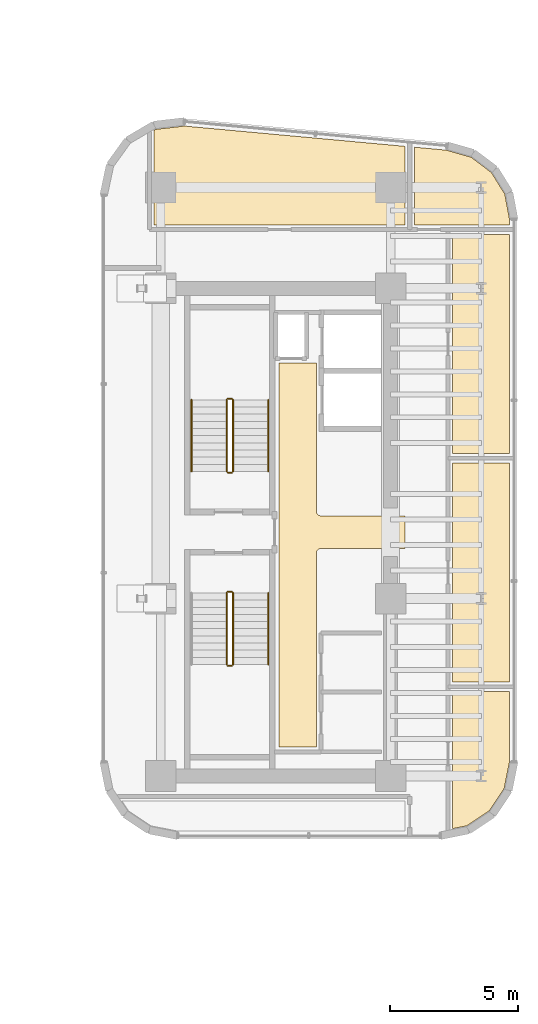
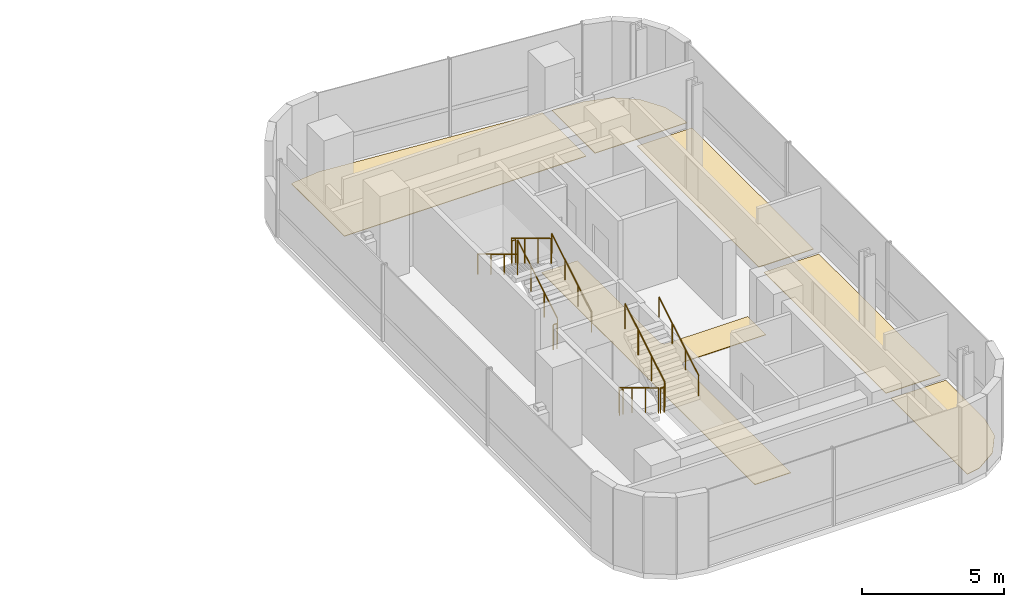
# One storey, part 34 of 35: 11 railings, 6 coverings.
"""IFC4 building model written with IfcOpenShell, lengths in metres."""

from ifc_helpers import new_model, si_unit, direction, frame, origin, origin_2d, place, context, subcontext, project, spatial, polyline, circle, outline, extrude, material, layer, layer_set, type_object, element, save


model = new_model("IFC4")

# Units and contexts
model_context = context("Model", 3, precision=1e-05, world=origin(), true_north=direction((0.0, 1.0)))
body_context = subcontext(model_context, "Body", "Model", "MODEL_VIEW")
ifc_project = project(units=[si_unit("LENGTHUNIT", "METRE"), si_unit("AREAUNIT", "SQUARE_METRE"), si_unit("VOLUMEUNIT", "CUBIC_METRE"), si_unit("PLANEANGLEUNIT", "RADIAN"), si_unit("MASSUNIT", "GRAM", prefix="KILO")], contexts=[model_context])

# Site, building, storey
site_placement = place(None, origin())
site = spatial("IfcSite", under=ifc_project, at=site_placement, CompositionType="ELEMENT")
building_placement = place(site_placement, origin())
building = spatial("IfcBuilding", under=site, at=building_placement, Name="Valdorenza Pilgrim Sanctuary Tower", CompositionType="ELEMENT")
storey_placement = place(building_placement, frame((0.0, 0.0, 168.60009765625)))
storey = spatial("IfcBuildingStorey", under=building, at=storey_placement, Name="L43", CompositionType="ELEMENT", Elevation=168.60009765625)

# Coverings
ifc_material_1 = material(Name="Honed travertine stone flooring", Category="masonry")
ifc_layer = layer(ifc_material_1, 0.030029296875, Name="Honed travertine stone flooring")
ifc_layer_set = layer_set([ifc_layer], Name="Honed travertine stone flooring")
covering_type = type_object("IfcCoveringType", Name="COV-FLR-TRV", PredefinedType="FLOORING", material=ifc_layer_set)
covering_1_placement = place(storey_placement, origin())
element("IfcCovering", 1, at=covering_1_placement, inside=storey, type_object=covering_type, Name="L43 Core B Passenger Lift Lobby Flooring", PredefinedType="FLOORING", context=body_context, shape_type="SweptSolid", body=[
    extrude(outline(polyline([(20.47998046875, 6.617919921875), (21.550048828125, 6.617919921875), (21.550537109375, 6.617919921875), (21.93994140625, 6.619384765625), (21.93994140625, 0.820068359375), (21.94091796875, 0.802490234375), (21.943603515625, 0.784912109375), (21.94775390625, 0.767578125), (21.95361328125, 0.751220703125), (21.961181640625, 0.735107421875), (21.97021484375, 0.719970703125), (21.98095703125, 0.705810546875), (21.99267578125, 0.692626953125), (22.005859375, 0.680908203125), (22.02001953125, 0.67041015625), (22.03515625, 0.661376953125), (22.051025390625, 0.65380859375), (22.067626953125, 0.647705078125), (22.0849609375, 0.6435546875), (22.102294921875, 0.640869140625), (22.1201171875, 0.639892578125), (25.419921875, 0.639892578125), (25.419921875, -0.639892578125), (22.1201171875, -0.639892578125), (22.102294921875, -0.640869140625), (22.0849609375, -0.6435546875), (22.067626953125, -0.647705078125), (22.051025390625, -0.65380859375), (22.03515625, -0.661376953125), (22.02001953125, -0.67041015625), (22.005859375, -0.680908203125), (21.99267578125, -0.692626953125), (21.98095703125, -0.705810546875), (21.97021484375, -0.719970703125), (21.961181640625, -0.735107421875), (21.95361328125, -0.751220703125), (21.94775390625, -0.767578125), (21.943603515625, -0.784912109375), (21.94091796875, -0.802490234375), (21.93994140625, -0.820068359375), (21.93994140625, -8.419921875), (20.47998046875, -8.419921875), (20.47998046875, -0.846923828125), (20.47998046875, -0.8466796875), (20.47998046875, -0.8466796875), (20.481689453125, -0.8291015625), (20.481689453125, -0.828857421875), (20.48193359375, -0.820068359375), (20.48193359375, 0.820068359375), (20.47998046875, 6.617919921875)])), origin(), (0.0, 0.0, 1.0), 0.02490234375),
])
covering_2_placement = place(storey_placement, origin())
element("IfcCovering", 2, at=covering_2_placement, inside=storey, type_object=covering_type, Name="L43 Curator Research Office L43-BN1 Flooring", PredefinedType="FLOORING", context=body_context, shape_type="SweptSolid", body=[
    extrude(outline(polyline([(15.580078125, 12.030029296875), (15.580078125, 15.7392578125), (15.6396484375, 15.7744140625), (16.7783203125, 15.906982421875), (25.419921875, 15.11181640625), (25.419921875, 12.030029296875), (15.580078125, 12.030029296875)])), origin(), (0.0, 0.0, 1.0), 0.02490234375),
])
covering_3_placement = place(storey_placement, origin())
element("IfcCovering", 3, at=covering_3_placement, inside=storey, type_object=covering_type, Name="L43 East Wing Reference Library L43-BNE Flooring", PredefinedType="FLOORING", context=body_context, shape_type="SweptSolid", body=[
    extrude(outline(polyline([(27.021484375, 14.964599609375), (28.00439453125, 14.685302734375), (28.79833984375, 14.08642578125), (29.322021484375, 13.240966796875), (29.510009765625, 12.236572265625), (29.510009765625, 12.030029296875), (25.781982421875, 12.030029296875), (25.781982421875, 15.07861328125), (27.021484375, 14.964599609375)])), origin(), (0.0, 0.0, 1.0), 0.02490234375),
])
covering_4_placement = place(storey_placement, origin())
element("IfcCovering", 4, at=covering_4_placement, inside=storey, type_object=covering_type, Name="L43 Open Plan Scholar Office L43-EB1 Flooring", PredefinedType="FLOORING", context=body_context, shape_type="SweptSolid", body=[
    extrude(outline(polyline([(29.510009765625, -6.22998046875), (29.510009765625, -8.971435546875), (29.29833984375, -10.034912109375), (28.712158203125, -10.912109375), (27.8349609375, -11.498291015625), (27.280029296875, -11.60888671875), (27.280029296875, -6.22998046875), (29.510009765625, -6.22998046875)])), origin(), (0.0, 0.0, 1.0), 0.02490234375),
])
covering_5_placement = place(storey_placement, origin())
element("IfcCovering", 5, at=covering_5_placement, inside=storey, type_object=covering_type, Name="L43 Open Plan Scholar Office L43-EB2 Flooring", PredefinedType="FLOORING", context=body_context, shape_type="SweptSolid", body=[
    extrude(outline(polyline([(27.280029296875, 2.719970703125), (29.510009765625, 2.719970703125), (29.510009765625, -5.867919921875), (27.280029296875, -5.867919921875), (27.280029296875, 2.719970703125)])), origin(), (0.0, 0.0, 1.0), 0.02490234375),
])
covering_6_placement = place(storey_placement, origin())
element("IfcCovering", 6, at=covering_6_placement, inside=storey, type_object=covering_type, Name="L43 Open Plan Scholar Office L43-EB3 Flooring", PredefinedType="FLOORING", context=body_context, shape_type="SweptSolid", body=[
    extrude(outline(polyline([(27.280029296875, 11.66796875), (29.510009765625, 11.66796875), (29.510009765625, 3.08203125), (27.280029296875, 3.08203125), (27.280029296875, 11.66796875)])), origin(), (0.0, 0.0, 1.0), 0.02490234375),
])

# Railings
ifc_material_2 = material(Name="Stainless steel Grade 316", Category="steel")
railing_type_1 = type_object("IfcRailingType", Name="RLG-GRD-1120", PredefinedType="GUARDRAIL", material=ifc_material_2)
railing_1_placement = place(storey_placement, frame((18.679931640625, 2.3798828125, 0.16796875)))
element("IfcRailing", 7, at=railing_1_placement, inside=storey, type_object=railing_type_1, Name="L43 ST-B1 stair guard 1", PredefinedType="GUARDRAIL", context=body_context, shape_type="SweptSolid", body=[
    extrude(circle(Radius=0.02392578125, at=origin_2d()), frame((0.0, 0.0, 1.076171875), z_axis=(0.0, 0.857242210791, 0.514913383045), x_axis=(-1.0, 0.0, 0.0)), (0.0, 0.0, 1.0), 3.266357421875),
    extrude(circle(Radius=0.02099609375, at=origin_2d()), origin(), (0.0, 0.0, 1.0), 1.052001953125),
    extrude(circle(Radius=0.02099609375, at=origin_2d()), frame((0.0, 0.933349609375, 0.560546875)), (0.0, 0.0, 1.0), 1.052001953125),
    extrude(circle(Radius=0.02099609375, at=origin_2d()), frame((0.0, 1.86669921875, 1.121337890625)), (0.0, 0.0, 1.0), 1.052001953125),
    extrude(circle(Radius=0.02099609375, at=origin_2d()), frame((0.0, 2.800048828125, 1.681884765625)), (0.0, 0.0, 1.0), 1.052001953125),
])
railing_2_placement = place(storey_placement, frame((18.6298828125, 5.22998046875, 1.849853515625)))
element("IfcRailing", 8, at=railing_2_placement, inside=storey, type_object=railing_type_1, Name="L43 ST-B1 stair guard 2", PredefinedType="GUARDRAIL", context=body_context, shape_type="SweptSolid", body=[
    extrude(circle(Radius=0.02392578125, at=origin_2d()), frame((0.0, 0.0, 1.076171875), z_axis=(-1.0, 0.0, 0.0), x_axis=(0.0, -1.0, 0.0)), (0.0, 0.0, 1.0), 0.14990234375),
    extrude(circle(Radius=0.02099609375, at=origin_2d()), origin(), (0.0, 0.0, 1.0), 1.052001953125),
    extrude(circle(Radius=0.02099609375, at=origin_2d()), frame((-0.14990234375, 0.0, 0.0)), (0.0, 0.0, 1.0), 1.052001953125),
])
railing_3_placement = place(storey_placement, frame((18.429931640625, 5.179931640625, 2.01806640625)))
element("IfcRailing", 9, at=railing_3_placement, inside=storey, type_object=railing_type_1, Name="L43 ST-B1 stair guard 3", PredefinedType="GUARDRAIL", context=body_context, shape_type="SweptSolid", body=[
    extrude(circle(Radius=0.02392578125, at=origin_2d()), frame((0.0, 0.0, 1.076171875), z_axis=(0.0, -0.857242210791, 0.514913383045), x_axis=(1.0, 0.0, 0.0)), (0.0, 0.0, 1.0), 3.266357421875),
    extrude(circle(Radius=0.02099609375, at=origin_2d()), origin(), (0.0, 0.0, 1.0), 1.052001953125),
    extrude(circle(Radius=0.02099609375, at=origin_2d()), frame((0.0, -0.933349609375, 0.560546875)), (0.0, 0.0, 1.0), 1.052001953125),
    extrude(circle(Radius=0.02099609375, at=origin_2d()), frame((0.0, -1.86669921875, 1.121337890625)), (0.0, 0.0, 1.0), 1.052001953125),
    extrude(circle(Radius=0.02099609375, at=origin_2d()), frame((0.0, -2.800048828125, 1.681884765625)), (0.0, 0.0, 1.0), 1.052001953125),
])
railing_4_placement = place(storey_placement, frame((18.6298828125, 2.330078125, 0.0)))
element("IfcRailing", 10, at=railing_4_placement, inside=storey, type_object=railing_type_1, Name="L43 ST-B1 stair guard 4", PredefinedType="GUARDRAIL", context=body_context, shape_type="SweptSolid", body=[
    extrude(circle(Radius=0.02392578125, at=origin_2d()), frame((0.0, 0.0, 1.076171875), z_axis=(-1.0, 0.0, 0.0), x_axis=(0.0, -1.0, 0.0)), (0.0, 0.0, 1.0), 0.14990234375),
    extrude(circle(Radius=0.02099609375, at=origin_2d()), origin(), (0.0, 0.0, 1.0), 1.052001953125),
    extrude(circle(Radius=0.02099609375, at=origin_2d()), frame((-0.14990234375, 0.0, 0.0)), (0.0, 0.0, 1.0), 1.052001953125),
])
railing_5_placement = place(storey_placement, frame((18.429931640625, -2.3798828125, 0.16796875)))
element("IfcRailing", 11, at=railing_5_placement, inside=storey, type_object=railing_type_1, Name="L43 ST-B2 stair guard 1", PredefinedType="GUARDRAIL", context=body_context, shape_type="SweptSolid", body=[
    extrude(circle(Radius=0.02392578125, at=origin_2d()), frame((0.0, 0.0, 1.076171875), z_axis=(0.0, -0.857242210791, 0.514913383045), x_axis=(1.0, 0.0, 0.0)), (0.0, 0.0, 1.0), 3.266357421875),
    extrude(circle(Radius=0.02099609375, at=origin_2d()), origin(), (0.0, 0.0, 1.0), 1.052001953125),
    extrude(circle(Radius=0.02099609375, at=origin_2d()), frame((0.0, -0.933349609375, 0.560546875)), (0.0, 0.0, 1.0), 1.052001953125),
    extrude(circle(Radius=0.02099609375, at=origin_2d()), frame((0.0, -1.86669921875, 1.121337890625)), (0.0, 0.0, 1.0), 1.052001953125),
    extrude(circle(Radius=0.02099609375, at=origin_2d()), frame((0.0, -2.800048828125, 1.681884765625)), (0.0, 0.0, 1.0), 1.052001953125),
])
railing_6_placement = place(storey_placement, frame((18.47998046875, -5.22998046875, 1.849853515625)))
element("IfcRailing", 12, at=railing_6_placement, inside=storey, type_object=railing_type_1, Name="L43 ST-B2 stair guard 2", PredefinedType="GUARDRAIL", context=body_context, shape_type="SweptSolid", body=[
    extrude(circle(Radius=0.02392578125, at=origin_2d()), frame((0.0, 0.0, 1.076171875), z_axis=(1.0, 0.0, 0.0), x_axis=(0.0, 1.0, 0.0)), (0.0, 0.0, 1.0), 0.14990234375),
    extrude(circle(Radius=0.02099609375, at=origin_2d()), origin(), (0.0, 0.0, 1.0), 1.052001953125),
    extrude(circle(Radius=0.02099609375, at=origin_2d()), frame((0.14990234375, 0.0, 0.0)), (0.0, 0.0, 1.0), 1.052001953125),
])
railing_7_placement = place(storey_placement, frame((18.679931640625, -5.179931640625, 2.01806640625)))
element("IfcRailing", 13, at=railing_7_placement, inside=storey, type_object=railing_type_1, Name="L43 ST-B2 stair guard 3", PredefinedType="GUARDRAIL", context=body_context, shape_type="SweptSolid", body=[
    extrude(circle(Radius=0.02392578125, at=origin_2d()), frame((0.0, 0.0, 1.076171875), z_axis=(0.0, 0.857242210791, 0.514913383045), x_axis=(-1.0, 0.0, 0.0)), (0.0, 0.0, 1.0), 3.266357421875),
    extrude(circle(Radius=0.02099609375, at=origin_2d()), origin(), (0.0, 0.0, 1.0), 1.052001953125),
    extrude(circle(Radius=0.02099609375, at=origin_2d()), frame((0.0, 0.933349609375, 0.560546875)), (0.0, 0.0, 1.0), 1.052001953125),
    extrude(circle(Radius=0.02099609375, at=origin_2d()), frame((0.0, 1.86669921875, 1.121337890625)), (0.0, 0.0, 1.0), 1.052001953125),
    extrude(circle(Radius=0.02099609375, at=origin_2d()), frame((0.0, 2.800048828125, 1.681884765625)), (0.0, 0.0, 1.0), 1.052001953125),
])
railing_8_placement = place(storey_placement, frame((18.47998046875, -2.330078125, 0.0)))
element("IfcRailing", 14, at=railing_8_placement, inside=storey, type_object=railing_type_1, Name="L43 ST-B2 stair guard 4", PredefinedType="GUARDRAIL", context=body_context, shape_type="SweptSolid", body=[
    extrude(circle(Radius=0.02392578125, at=origin_2d()), frame((0.0, 0.0, 1.076171875), z_axis=(1.0, 0.0, 0.0), x_axis=(0.0, 1.0, 0.0)), (0.0, 0.0, 1.0), 0.14990234375),
    extrude(circle(Radius=0.02099609375, at=origin_2d()), origin(), (0.0, 0.0, 1.0), 1.052001953125),
    extrude(circle(Radius=0.02099609375, at=origin_2d()), frame((0.14990234375, 0.0, 0.0)), (0.0, 0.0, 1.0), 1.052001953125),
])
ifc_material_3 = material(Name="Brushed stainless steel Grade 316", Category="steel")
railing_type_2 = type_object("IfcRailingType", Name="RLG-HND-920", PredefinedType="HANDRAIL", material=ifc_material_3)
railing_9_placement = place(storey_placement, frame((20.06005859375, 2.3798828125, 0.16796875)))
element("IfcRailing", 15, at=railing_9_placement, inside=storey, type_object=railing_type_2, Name="L43 ST-B1 stair handrail 1", PredefinedType="HANDRAIL", context=body_context, shape_type="SweptSolid", body=[
    extrude(circle(Radius=0.02392578125, at=origin_2d()), frame((0.0, 0.0, 0.8759765625), z_axis=(0.0, 0.857242210791, 0.514913383045), x_axis=(-1.0, 0.0, 0.0)), (0.0, 0.0, 1.0), 3.266357421875),
    extrude(circle(Radius=0.02099609375, at=origin_2d()), origin(), (0.0, 0.0, 1.0), 0.851806640625),
    extrude(circle(Radius=0.02099609375, at=origin_2d()), frame((0.0, 0.933349609375, 0.560546875)), (0.0, 0.0, 1.0), 0.851806640625),
    extrude(circle(Radius=0.02099609375, at=origin_2d()), frame((0.0, 1.86669921875, 1.121337890625)), (0.0, 0.0, 1.0), 0.851806640625),
    extrude(circle(Radius=0.02099609375, at=origin_2d()), frame((0.0, 2.800048828125, 1.681884765625)), (0.0, 0.0, 1.0), 0.851806640625),
])
railing_10_placement = place(storey_placement, frame((17.050048828125, 5.179931640625, 2.01806640625)))
element("IfcRailing", 16, at=railing_10_placement, inside=storey, type_object=railing_type_2, Name="L43 ST-B1 stair handrail 2", PredefinedType="HANDRAIL", context=body_context, shape_type="SweptSolid", body=[
    extrude(circle(Radius=0.02392578125, at=origin_2d()), frame((0.0, 0.0, 0.8759765625), z_axis=(0.0, -0.857242210791, 0.514913383045), x_axis=(1.0, 0.0, 0.0)), (0.0, 0.0, 1.0), 3.266357421875),
    extrude(circle(Radius=0.02099609375, at=origin_2d()), origin(), (0.0, 0.0, 1.0), 0.851806640625),
    extrude(circle(Radius=0.02099609375, at=origin_2d()), frame((0.0, -0.933349609375, 0.560546875)), (0.0, 0.0, 1.0), 0.851806640625),
    extrude(circle(Radius=0.02099609375, at=origin_2d()), frame((0.0, -1.86669921875, 1.121337890625)), (0.0, 0.0, 1.0), 0.851806640625),
    extrude(circle(Radius=0.02099609375, at=origin_2d()), frame((0.0, -2.800048828125, 1.681884765625)), (0.0, 0.0, 1.0), 0.851806640625),
])
railing_11_placement = place(storey_placement, frame((20.06005859375, -5.179931640625, 2.01806640625)))
element("IfcRailing", 17, at=railing_11_placement, inside=storey, type_object=railing_type_2, Name="L43 ST-B2 stair handrail 2", PredefinedType="HANDRAIL", context=body_context, shape_type="SweptSolid", body=[
    extrude(circle(Radius=0.02392578125, at=origin_2d()), frame((0.0, 0.0, 0.8759765625), z_axis=(0.0, 0.857242210791, 0.514913383045), x_axis=(-1.0, 0.0, 0.0)), (0.0, 0.0, 1.0), 3.266357421875),
    extrude(circle(Radius=0.02099609375, at=origin_2d()), origin(), (0.0, 0.0, 1.0), 0.851806640625),
    extrude(circle(Radius=0.02099609375, at=origin_2d()), frame((0.0, 0.933349609375, 0.560546875)), (0.0, 0.0, 1.0), 0.851806640625),
    extrude(circle(Radius=0.02099609375, at=origin_2d()), frame((0.0, 1.86669921875, 1.121337890625)), (0.0, 0.0, 1.0), 0.851806640625),
    extrude(circle(Radius=0.02099609375, at=origin_2d()), frame((0.0, 2.800048828125, 1.681884765625)), (0.0, 0.0, 1.0), 0.851806640625),
])

save(model, "model.ifc")
